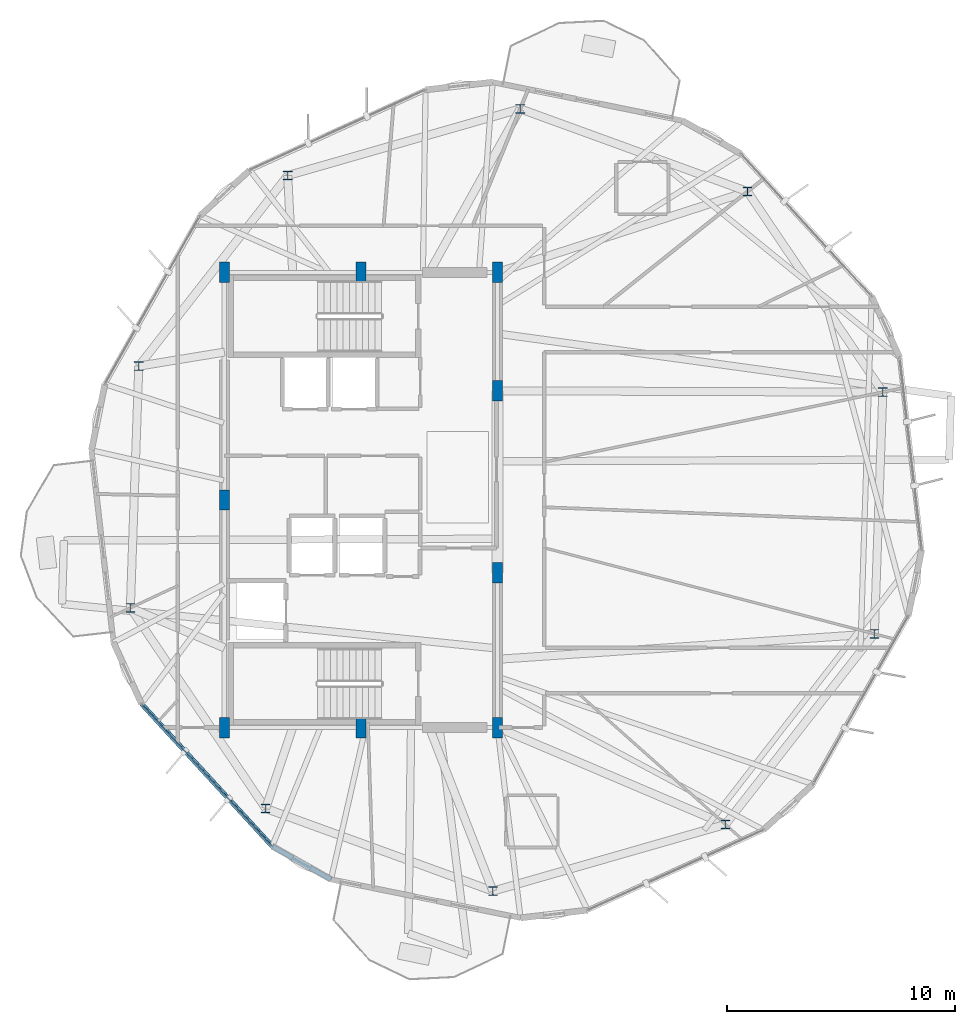
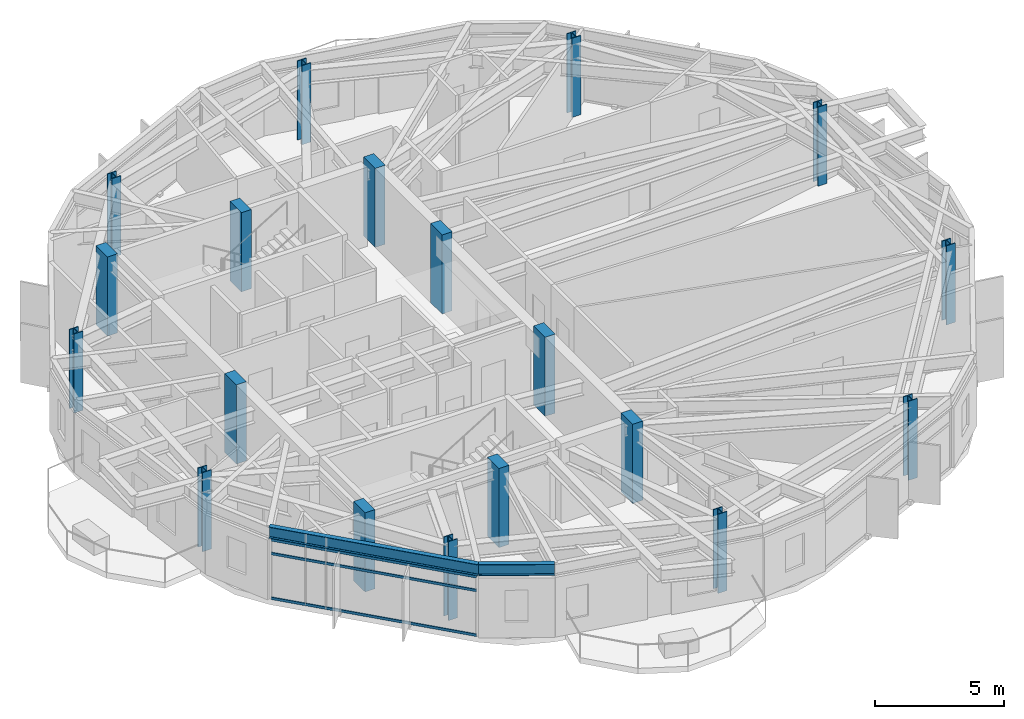
# One storey, part 1 of 23: 19 columns, 3 members, 2 beams, 1 element without a shape of its own.
"""IFC4 building model written with IfcOpenShell, lengths in metres."""

from ifc_helpers import new_model, si_unit, direction, frame, origin, origin_2d, place, context, subcontext, project, spatial, rectangle, hollow_rectangle, i_section, extrude, material, layer, layer_set, material_profile, profile_set, type_object, element, aggregate, save


model = new_model("IFC4")

# Units and contexts
model_context = context("Model", 3, precision=1e-05, world=origin(), true_north=direction((0.0, 1.0)))
body_context = subcontext(model_context, "Body", "Model", "MODEL_VIEW")
ifc_project = project(units=[si_unit("LENGTHUNIT", "METRE"), si_unit("AREAUNIT", "SQUARE_METRE"), si_unit("VOLUMEUNIT", "CUBIC_METRE"), si_unit("PLANEANGLEUNIT", "RADIAN"), si_unit("MASSUNIT", "GRAM", prefix="KILO")], contexts=[model_context])

# Site, building, storey
site_placement = place(None, origin())
site = spatial("IfcSite", under=ifc_project, at=site_placement, CompositionType="ELEMENT")
building_placement = place(site_placement, origin())
building = spatial("IfcBuilding", under=site, at=building_placement, Name="Soratama Intermodal Tower", CompositionType="ELEMENT")
storey_placement = place(building_placement, frame((0.0, 0.0, 261.25)))
storey = spatial("IfcBuildingStorey", under=building, at=storey_placement, Name="L66", CompositionType="ELEMENT", Elevation=261.25)

# Columns
ifc_material_1 = material(Name="Structural steel ASTM A992 Grade 50", Category="steel")
ifc_material_profile_1 = material_profile(ifc_material_1, i_section(OverallWidth=0.40087890625, OverallDepth=0.39892578125, WebThickness=0.02490234375, FlangeThickness=0.03955078125, FilletRadius=0.0380859375, at=origin_2d()), Name="W14X211")
ifc_profile_set_1 = profile_set([ifc_material_profile_1], Name="Structural steel ASTM A992 Grade 50")
column_type_1 = type_object("IfcColumnType", Name="COL-ZE-W14X211", PredefinedType="COLUMN", material=ifc_profile_set_1)
for number, where, z_axis, x_axis, name in (
    (1, (61.53369140625, 29.740966796875, 0.0), (0.0, 0.0, 1.0), (1.0, 0.0, 0.0), "L66 Tower Ring Column R01"),
    (2, (55.58935546875, 38.5537109375, 0.0), (0.0, 0.0, 1.0), (1.0, 0.0, 0.0), "L66 Tower Ring Column R02"),
    (3, (45.600341796875, 42.189453125, 0.0), (0.0, 0.0, 1.0), (1.0, 0.0, 0.0), "L66 Tower Ring Column R03"),
    (4, (35.3818359375, 39.259521484375, 0.0), (0.0, 0.0, 1.0), (1.0, 0.0, 0.0), "L66 Tower Ring Column R04"),
    (5, (28.83740234375, 30.8828125, 0.0), (0.0, 0.0, 1.0), (1.0, 0.0, 0.0), "L66 Tower Ring Column R05"),
    (6, (28.46630859375, 20.259033203125, 0.0), (0.0, 0.0, 1.0), (1.0, 0.0, 0.0), "L66 Tower Ring Column R06"),
    (7, (34.41064453125, 11.4462890625, 0.0), (0.0, 0.0, 1.0), (1.0, 0.0, 0.0), "L66 Tower Ring Column R07"),
    (8, (44.399658203125, 7.810546875, 0.0), (0.0, 0.0, 1.0), (1.0, 0.0, 0.0), "L66 Tower Ring Column R08"),
    (9, (54.6181640625, 10.740478515625, 0.0), (0.0, 0.0, 1.0), (1.0, 0.0, 0.0), "L66 Tower Ring Column R09"),
    (10, (61.16259765625, 19.1171875, 0.0), (0.0, 0.0, 1.0), (1.0, 0.0, 0.0), "L66 Tower Ring Column R10"),
):
    element("IfcColumn", number, at=place(storey_placement, frame(where, z_axis=z_axis, x_axis=x_axis)), inside=storey, type_object=column_type_1, Name=name, PredefinedType="COLUMN", context=body_context, shape_type="SweptSolid", body=[
        extrude(i_section(OverallWidth=0.40087890625, OverallDepth=0.39892578125, WebThickness=0.02490234375, FlangeThickness=0.03955078125, FilletRadius=0.0380859375, at=origin_2d()), origin(), (0.0, 0.0, 1.0), 3.75),
    ])
ifc_material_2 = material(Name="Concrete f'c 56 MPa", Category="concrete")
ifc_material_profile_2 = material_profile(ifc_material_2, rectangle(XDim=0.449951171875, YDim=0.89990234375, at=origin_2d()), Name="RC450X900")
ifc_profile_set_2 = profile_set([ifc_material_profile_2], Name="Concrete f'c 56 MPa")
column_type_2 = type_object("IfcColumnType", Name="PIL-CORE-450X900", PredefinedType="PILASTER", material=ifc_profile_set_2)
for number, where, z_axis, x_axis, name in (
    (11, (32.60009765625, 15.0, 0.0), (0.0, 0.0, 1.0), (1.0, 0.0, 0.0), "L66 Core Pilaster 1"),
    (12, (32.60009765625, 25.0, 0.0), (0.0, 0.0, 1.0), (1.0, 0.0, 0.0), "L66 Core Pilaster 2"),
    (13, (32.60009765625, 35.0, 0.0), (0.0, 0.0, 1.0), (1.0, 0.0, 0.0), "L66 Core Pilaster 3"),
    (14, (38.60009765625, 15.0, 0.0), (0.0, 0.0, 1.0), (1.0, 0.0, 0.0), "L66 Core Pilaster 4"),
    (15, (38.60009765625, 35.0, 0.0), (0.0, 0.0, 1.0), (1.0, 0.0, 0.0), "L66 Core Pilaster 5"),
    (16, (44.60009765625, 15.0, 0.0), (0.0, 0.0, 1.0), (1.0, 0.0, 0.0), "L66 Core Pilaster 6"),
    (17, (44.60009765625, 21.800048828125, 0.0), (0.0, 0.0, 1.0), (1.0, 0.0, 0.0), "L66 Core Pilaster 7"),
    (18, (44.60009765625, 29.800048828125, 0.0), (0.0, 0.0, 1.0), (1.0, 0.0, 0.0), "L66 Core Pilaster 8"),
    (19, (44.60009765625, 35.0, 0.0), (0.0, 0.0, 1.0), (1.0, 0.0, 0.0), "L66 Core Pilaster 9"),
):
    element("IfcColumn", number, at=place(storey_placement, frame(where, z_axis=z_axis, x_axis=x_axis)), inside=storey, type_object=column_type_2, Name=name, PredefinedType="PILASTER", context=body_context, shape_type="SweptSolid", body=[
        extrude(rectangle(XDim=0.449951171875, YDim=0.89990234375, at=origin_2d()), origin(), (0.0, 0.0, 1.0), 3.75),
    ])

# Beams
ifc_material_3 = material(Name="Structural steel ASTM A992 Grade 50", Category="steel")
ifc_material_profile_3 = material_profile(ifc_material_3, i_section(OverallWidth=0.2099609375, OverallDepth=0.537109375, WebThickness=0.010986328125, FlangeThickness=0.017333984375, FilletRadius=0.012939453125, at=origin_2d()), Name="W21X68")
ifc_profile_set_3 = profile_set([ifc_material_profile_3], Name="Structural steel ASTM A992 Grade 50")
beam_type = type_object("IfcBeamType", Name="BM-SPN-W21X68", PredefinedType="SPANDREL", material=ifc_profile_set_3)
beam_1_placement = place(storey_placement, frame((28.952880859375, 16.04296875, 3.181396484375), z_axis=(0.676048440126, -0.736857181958, 0.0), x_axis=(0.736857181958, 0.676048440126, 0.0)))
element("IfcBeam", 20, at=beam_1_placement, inside=storey, type_object=beam_type, Name="BS-L66-F05", PredefinedType="SPANDREL", context=body_context, shape_type="SweptSolid", body=[
    extrude(i_section(OverallWidth=0.2099609375, OverallDepth=0.537109375, WebThickness=0.010986328125, FlangeThickness=0.017333984375, FilletRadius=0.012939453125, at=origin_2d()), origin(), (0.0, 0.0, 1.0), 8.49951171875),
])
beam_2_placement = place(storey_placement, frame((34.698974609375, 9.780029296875, 3.181396484375), z_axis=(0.870703816421, -0.491807751128, 0.0), x_axis=(0.491807751128, 0.870703816421, 0.0)))
element("IfcBeam", 21, at=beam_2_placement, inside=storey, type_object=beam_type, Name="BS-L66-CRN05", PredefinedType="SPANDREL", context=body_context, shape_type="SweptSolid", body=[
    extrude(i_section(OverallWidth=0.2099609375, OverallDepth=0.537109375, WebThickness=0.010986328125, FlangeThickness=0.017333984375, FilletRadius=0.012939453125, at=origin_2d()), origin(), (0.0, 0.0, 1.0), 2.966552734375),
])

# Curtain wall, members
ifc_material_4 = material(Name="Double-glazed aluminium curtain wall", Category="aluminium")
ifc_layer = layer(ifc_material_4, 0.159912109375)
ifc_layer_set = layer_set([ifc_layer], Name="Double-glazed aluminium curtain wall")
curtain_wall_type = type_object("IfcCurtainWallType", Name="CW-SYS-5", PredefinedType="NOTDEFINED", material=ifc_layer_set)
curtain_wall_placement = place(storey_placement, origin())
curtain_wall = element("IfcCurtainWall", 22, at=curtain_wall_placement, inside=storey, type_object=curtain_wall_type, Name="L66 Faceted Curtain Wall F05", PredefinedType="NOTDEFINED")
ifc_material_5 = material(Name="Anodised aluminium AA 6063-T6", Category="aluminium")
ifc_material_profile_4 = material_profile(ifc_material_5, hollow_rectangle(XDim=0.06005859375, YDim=0.1298828125, WallThickness=0.0048828125, InnerFilletRadius=0.0048828125, OuterFilletRadius=0.010009765625, at=origin_2d()), Name="CWT130X60X5")
ifc_profile_set_4 = profile_set([ifc_material_profile_4], Name="Anodised aluminium AA 6063-T6")
member_type = type_object("IfcMemberType", Name="TT-CWT-2", PredefinedType="USERDEFINED", material=ifc_profile_set_4)
member_1_placement = place(storey_placement, frame((28.9931640625, 15.99853515625, 0.030029296875), z_axis=(0.676112401775, -0.736798493596, 0.0), x_axis=(0.736798493596, 0.676112401775, 0.0)))
member_1 = element("IfcMember", 23, at=member_1_placement, type_object=member_type, Name="CW-5 transom 1.1", ObjectType="TRANSOM", PredefinedType="USERDEFINED", context=body_context, shape_type="SweptSolid", body=[
    extrude(hollow_rectangle(XDim=0.06005859375, YDim=0.1298828125, WallThickness=0.0048828125, InnerFilletRadius=0.0048828125, OuterFilletRadius=0.010009765625, at=origin_2d()), origin(), (0.0, 0.0, 1.0), 8.3798828125),
])
member_2_placement = place(storey_placement, frame((28.9931640625, 15.99853515625, 2.14990234375), z_axis=(0.676112401775, -0.736798493596, 0.0), x_axis=(0.736798493596, 0.676112401775, 0.0)))
member_2 = element("IfcMember", 24, at=member_2_placement, type_object=member_type, Name="CW-5 transom 1.2", ObjectType="TRANSOM", PredefinedType="USERDEFINED", context=body_context, shape_type="SweptSolid", body=[
    extrude(hollow_rectangle(XDim=0.06005859375, YDim=0.1298828125, WallThickness=0.0048828125, InnerFilletRadius=0.0048828125, OuterFilletRadius=0.010009765625, at=origin_2d()), origin(), (0.0, 0.0, 1.0), 8.3798828125),
])
member_3_placement = place(storey_placement, frame((28.9931640625, 15.99853515625, 2.799072265625), z_axis=(0.676112401775, -0.736798493596, 0.0), x_axis=(0.736798493596, 0.676112401775, 0.0)))
member_3 = element("IfcMember", 25, at=member_3_placement, type_object=member_type, Name="CW-5 transom 1.3", ObjectType="TRANSOM", PredefinedType="USERDEFINED", context=body_context, shape_type="SweptSolid", body=[
    extrude(hollow_rectangle(XDim=0.06005859375, YDim=0.1298828125, WallThickness=0.0048828125, InnerFilletRadius=0.0048828125, OuterFilletRadius=0.010009765625, at=origin_2d()), origin(), (0.0, 0.0, 1.0), 8.3798828125),
])
aggregate(curtain_wall, [member_1, member_2, member_3])

save(model, "model.ifc")
